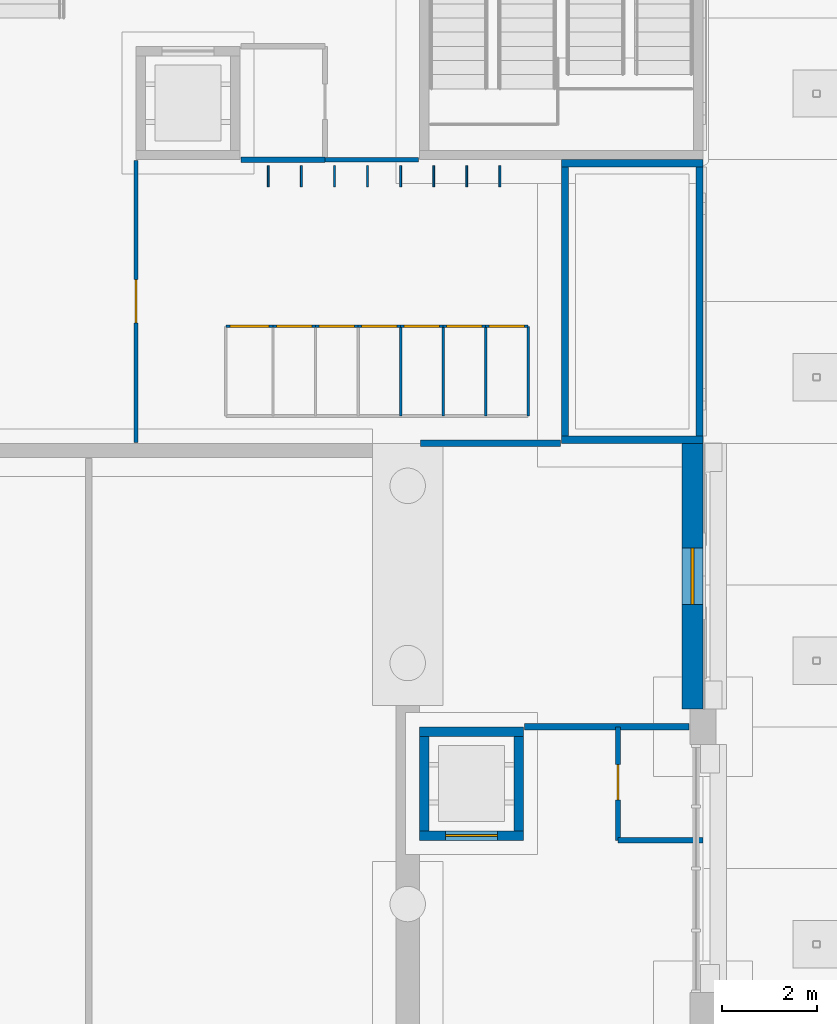
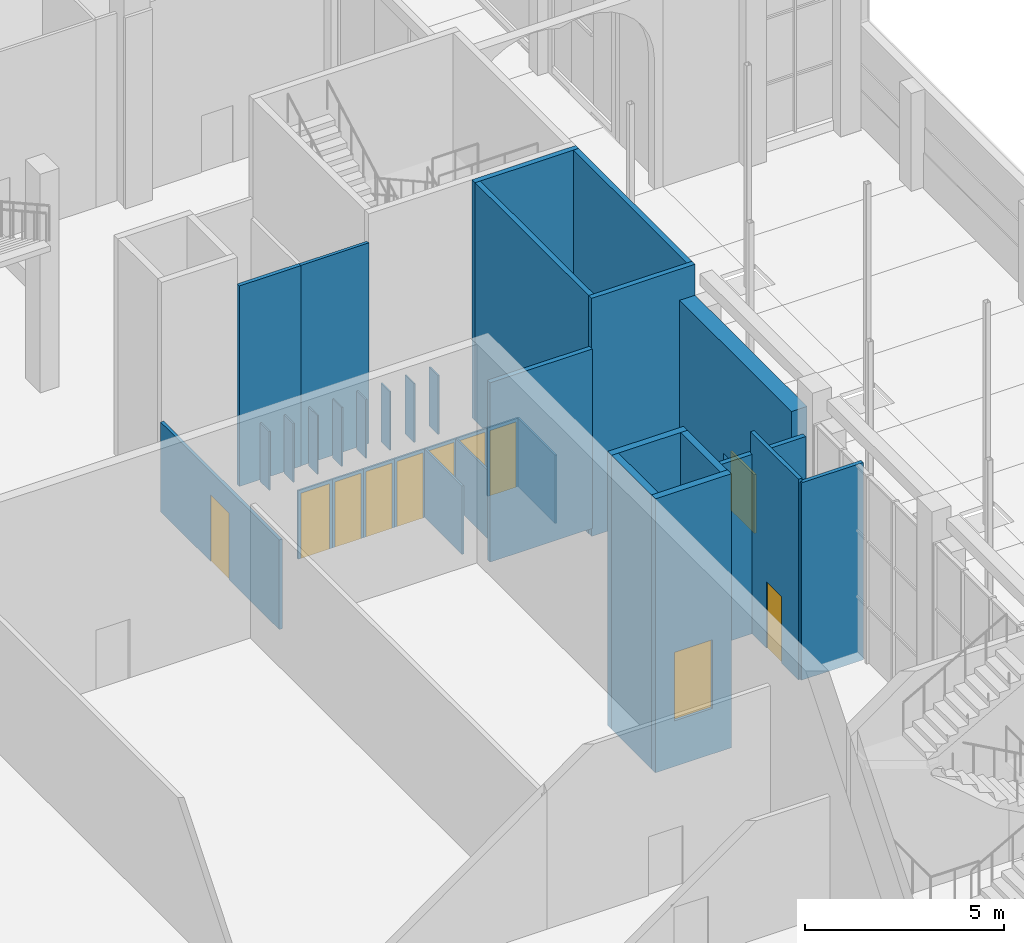
# One storey, part 48 of 95: 35 walls, 10 doors, 1 window, 11 openings.
"""IFC4 building model written with IfcOpenShell, lengths in metres."""

import ifcopenshell
import ifcopenshell.guid

model = None  # the IFC model being written
_history = None  # IfcOwnerHistory: only IFC2X3 demands one
_inside = {}  # id of a spatial element -> (the spatial element, [elements in it])
_under = {}  # id of a project, library or spatial element -> (it, [spatial elements below it])
_declared = {}  # id of a project -> (the project, [libraries it declares])
_typed = {}  # id of a type object -> (the type object, [elements of that type])
_made_of = {}  # id of a material, layer set ... -> (it, [elements and type objects made of it])


def new_model(schema):
    """Start an empty IFC model of exactly this schema.

    Asked for "IFC4X3", IfcOpenShell would pick the latest addendum, in which some entities
    have other attributes; the version numbers below select the first issue.
    IFC2X3 requires an IfcOwnerHistory on every rooted entity: one is made here for all.
    """
    global model, _history
    if schema == "IFC4X3":
        model = ifcopenshell.file(schema_version=(4, 3, 0, 0))
    else:
        model = ifcopenshell.file(schema=schema)
    _inside.clear()
    _under.clear()
    _declared.clear()
    _typed.clear()
    _made_of.clear()
    _history = None
    if model.schema == "IFC2X3":
        org = make("IfcOrganization", Name="unknown")
        user = make(
            "IfcPersonAndOrganization",
            ThePerson=make("IfcPerson", FamilyName="unknown"),
            TheOrganization=org,
        )
        app = make(
            "IfcApplication",
            ApplicationDeveloper=org,
            Version="unknown",
            ApplicationFullName="unknown",
            ApplicationIdentifier="unknown",
        )
        _history = make(
            "IfcOwnerHistory",
            OwningUser=user,
            OwningApplication=app,
            ChangeAction="ADDED",
            CreationDate=0,
        )
    return model


def make(cls, **values):
    """One entity of the class cls with the attributes given. An attribute that is None is left unset."""
    return model.create_entity(
        cls, **{name: value for name, value in values.items() if value is not None}
    )


def rooted(cls, **values):
    """An entity with a GlobalId (a new one), such as an element, a storey or a relation."""
    return make(cls, GlobalId=ifcopenshell.guid.new(), OwnerHistory=_history, **values)


def si_unit(unit_type, name, prefix=None):
    """IfcSIUnit, for example si_unit("LENGTHUNIT", "METRE", prefix="MILLI")."""
    return make("IfcSIUnit", UnitType=unit_type, Prefix=prefix, Name=name)


def assignment(units):
    """IfcUnitAssignment: the units of a project."""
    return None if units is None else make("IfcUnitAssignment", Units=units)


def point(xyz):
    """IfcCartesianPoint."""
    return None if xyz is None else make("IfcCartesianPoint", Coordinates=xyz)


def direction(xyz):
    """IfcDirection."""
    return None if xyz is None else make("IfcDirection", DirectionRatios=xyz)


def frame(location, z_axis=None, x_axis=None):
    """IfcAxis2Placement3D, a coordinate frame: its origin and axes. An axis left out is left unset."""
    return make(
        "IfcAxis2Placement3D",
        Location=point(location),
        Axis=direction(z_axis),
        RefDirection=direction(x_axis),
    )


def frame_2d(location, x_axis=None):
    """IfcAxis2Placement2D, a coordinate frame in the plane: its origin and x axis."""
    return make(
        "IfcAxis2Placement2D", Location=point(location), RefDirection=direction(x_axis)
    )


def origin():
    """The frame at (0, 0, 0) with its axes left unset."""
    return frame((0.0, 0.0, 0.0))


def place(relative_to, where):
    """IfcLocalPlacement: puts the frame where relative to a parent placement (None: the world)."""
    return make(
        "IfcLocalPlacement", PlacementRelTo=relative_to, RelativePlacement=where
    )


def context(
    kind, dimensions, precision=None, world=None, true_north=None, identifier=None
):
    """IfcGeometricRepresentationContext, for example the 3D "Model" context."""
    return make(
        "IfcGeometricRepresentationContext",
        ContextIdentifier=identifier,
        ContextType=kind,
        CoordinateSpaceDimension=dimensions,
        Precision=precision,
        WorldCoordinateSystem=world,
        TrueNorth=true_north,
    )


def subcontext(parent, identifier, kind, view, scale=None):
    """IfcGeometricRepresentationSubContext, for example "Body" below "Model"."""
    return make(
        "IfcGeometricRepresentationSubContext",
        ContextIdentifier=identifier,
        ContextType=kind,
        ParentContext=parent,
        TargetScale=scale,
        TargetView=view,
    )


def project(units=None, contexts=None):
    """IfcProject with its units and contexts."""
    return rooted(
        "IfcProject",
        Name="project",
        RepresentationContexts=contexts,
        UnitsInContext=assignment(units),
    )


def spatial(cls, under=None, at=None, **own):
    """A site, building, storey or space (cls), placed at a placement, below another one or the project."""
    s = rooted(cls, ObjectPlacement=at, **own)
    if under is not None:
        _under.setdefault(under.id(), (under, []))[1].append(s)
    return s


def profile(cls, at=None, kind="AREA", **sizes):
    """A parametric profile (cls). Its sizes go by their IFC names, for example OverallWidth=200.0."""
    return make(cls, ProfileType=kind, Position=at, **sizes)


def rectangle(**sizes):
    """IfcRectangleProfileDef."""
    return profile("IfcRectangleProfileDef", **sizes)


def extrude(swept, where, along, depth):
    """IfcExtrudedAreaSolid: the profile swept, set in the frame where, extruded along a direction by depth."""
    return make(
        "IfcExtrudedAreaSolid",
        SweptArea=swept,
        Position=where,
        ExtrudedDirection=direction(along),
        Depth=depth,
    )


def shape(context_of_items, identifier, shape_type, items):
    """IfcShapeRepresentation: the items that make up one representation, for example the "Body"."""
    return make(
        "IfcShapeRepresentation",
        ContextOfItems=context_of_items,
        RepresentationIdentifier=identifier,
        RepresentationType=shape_type,
        Items=items,
    )


def material(Name=None, Category=None):
    """IfcMaterial."""
    return make("IfcMaterial", Name=Name, Category=Category)


def layer(
    of_material, thickness, ventilated=None, Name=None, Category=None, Priority=None
):
    """IfcMaterialLayer: one layer of a wall or slab, of a material (None: an air gap)."""
    return make(
        "IfcMaterialLayer",
        Material=of_material,
        LayerThickness=thickness,
        IsVentilated=ventilated,
        Name=Name,
        Category=Category,
        Priority=Priority,
    )


def layer_set(layers, Name=None):
    """IfcMaterialLayerSet."""
    return make("IfcMaterialLayerSet", MaterialLayers=layers, LayerSetName=Name)


def made_of(thing, what):
    """Note that an element or type object is made of a material, layer set ...; save() writes the relation."""
    if what is not None:
        _made_of.setdefault(what.id(), (what, []))[1].append(thing)
    return thing


def type_object(cls, material=None, **own):
    """A type object (cls), such as IfcWallType, which elements share."""
    return made_of(rooted(cls, **own), material)


def element(
    cls,
    number,
    at=None,
    inside=None,
    cuts=None,
    type_object=None,
    material=None,
    context=None,
    identifier="Body",
    shape_type=None,
    held_by="IfcProductDefinitionShape",
    body=None,
    shapes=None,
    **own,
):
    """One element of the class cls, such as IfcWall. Its Tag is "e" and its number.

    at: its placement. inside: the storey or other place that contains it. cuts: it is an
    opening in that element (IfcRelVoidsElement). A single representation is given by context,
    identifier, shape_type and body (its items); several are given by shapes. held_by: the class
    of the entity that holds the representations. save() writes the other relations.
    """
    e = rooted(cls, Tag="e%d" % number, ObjectPlacement=at, **own)
    if body is not None:
        shapes = [shape(context, identifier, shape_type, body)]
    if shapes is not None:
        e.Representation = make(held_by, Representations=shapes)
    if inside is not None:
        _inside.setdefault(inside.id(), (inside, []))[1].append(e)
    if cuts is not None:
        rooted(
            "IfcRelVoidsElement", RelatingBuildingElement=cuts, RelatedOpeningElement=e
        )
    if type_object is not None:
        _typed.setdefault(type_object.id(), (type_object, []))[1].append(e)
    return made_of(e, material)


def fill(opening, filler):
    """IfcRelFillsElement: the door or window that sits in an opening."""
    return rooted(
        "IfcRelFillsElement",
        RelatingOpeningElement=opening,
        RelatedBuildingElement=filler,
    )


def aggregate(whole, parts):
    """IfcRelAggregates: a whole, such as a stair, and the parts it consists of."""
    return rooted("IfcRelAggregates", RelatingObject=whole, RelatedObjects=parts)


def save(model, path):
    """Write the relations noted so far, then the file.

    IfcRelAggregates (storeys below a building ...), IfcRelContainedInSpatialStructure (elements
    in a storey), IfcRelDefinesByType, IfcRelAssociatesMaterial and IfcRelDeclares: one each for
    every whole, place, type object, material and project.
    """
    for whole, parts in _under.values():
        aggregate(whole, parts)
    for where, things in _inside.values():
        rooted(
            "IfcRelContainedInSpatialStructure",
            RelatedElements=things,
            RelatingStructure=where,
        )
    for kind, things in _typed.values():
        rooted("IfcRelDefinesByType", RelatedObjects=things, RelatingType=kind)
    for what, things in _made_of.values():
        rooted("IfcRelAssociatesMaterial", RelatedObjects=things, RelatingMaterial=what)
    for by, libraries in _declared.values():
        rooted("IfcRelDeclares", RelatingContext=by, RelatedDefinitions=libraries)
    model.write(path)


model = new_model("IFC4")

# Units and contexts
model_context = context("Model", 3, precision=1e-05, world=origin(), true_north=direction((0.0, 1.0)))
body_context = subcontext(model_context, "Body", "Model", "MODEL_VIEW")
ifc_project = project(units=[si_unit("LENGTHUNIT", "METRE"), si_unit("AREAUNIT", "SQUARE_METRE"), si_unit("VOLUMEUNIT", "CUBIC_METRE"), si_unit("PLANEANGLEUNIT", "RADIAN"), si_unit("MASSUNIT", "GRAM", prefix="KILO")], contexts=[model_context])

# Site, building, storey
site_placement = place(None, origin())
site = spatial("IfcSite", under=ifc_project, at=site_placement, CompositionType="ELEMENT")
building_placement = place(site_placement, origin())
building = spatial("IfcBuilding", under=site, at=building_placement, Name="Saffron Lane Theatres", CompositionType="ELEMENT")
storey_placement = place(building_placement, origin())
storey = spatial("IfcBuildingStorey", under=building, at=storey_placement, Name="L00", CompositionType="ELEMENT", Elevation=0.0)

# Wall, opening, window
ifc_material_1 = material(Name="Masonry pale clay brick", Category="masonry")
ifc_layer_1 = layer(ifc_material_1, 0.449951171875)
ifc_layer_set_1 = layer_set([ifc_layer_1], Name="Masonry pale clay brick")
wall_type_1 = type_object("IfcWallType", Name="EX-WALL BRICK 450", PredefinedType="SOLIDWALL", material=ifc_layer_set_1)
wall_1_placement = place(storey_placement, frame((53.77490234375, 90.0, 0.0), z_axis=(0.0, 0.0, 1.0), x_axis=(0.0, -1.0, 0.0)))
wall_1 = element("IfcWall", 1, at=wall_1_placement, inside=storey, type_object=wall_type_1, Name="External wall L00 15", PredefinedType="SOLIDWALL", context=body_context, shape_type="SweptSolid", body=[
    extrude(rectangle(XDim=5.625, YDim=0.449951171875, at=frame_2d((2.8125, 0.0))), origin(), (0.0, 0.0, 1.0), 6.050048828125),
])
opening_1_placement = place(wall_1_placement, frame((2.21240234375, 0.0, 0.89990234375)))
opening_1 = element("IfcOpeningElement", 2, at=opening_1_placement, cuts=wall_1, Name="Opening WN00-018", PredefinedType="OPENING", context=body_context, shape_type="SweptSolid", body=[
    extrude(rectangle(XDim=1.199951171875, YDim=1.800048828125, at=frame_2d((0.60009765625, 0.89990234375))), frame((0.0, 0.23486328125, 0.0), z_axis=(0.0, -1.0, 0.0), x_axis=(1.0, 0.0, 0.0)), (0.0, 0.0, 1.0), 0.469970703125),
])
ifc_material_2 = material(Name="Aluminium", Category="aluminium")
window_type = type_object("IfcWindowType", Name="EX-WINDOW 1200x1800", PartitioningType="SINGLE_PANEL", PredefinedType="WINDOW", material=ifc_material_2)
window_placement = place(opening_1_placement, origin())
window = element("IfcWindow", 3, at=window_placement, inside=storey, type_object=window_type, Name="Louvred opening L00 018", OverallHeight=1.800048828125, OverallWidth=1.199951171875, PartitioningType="SINGLE_PANEL", PredefinedType="WINDOW", context=body_context, shape_type="SweptSolid", body=[
    extrude(rectangle(XDim=1.199951171875, YDim=1.800048828125, at=frame_2d((0.60009765625, 0.89990234375))), frame((0.0, 0.030029296875, 0.0), z_axis=(0.0, -1.0, 0.0), x_axis=(1.0, 0.0, 0.0)), (0.0, 0.0, 1.0), 0.06005859375),
])
fill(opening_1, window)

# Wall
ifc_material_3 = material(Name="Masonry block partition", Category="masonry")
ifc_layer_2 = layer(ifc_material_3, 0.110107421875)
ifc_layer_set_2 = layer_set([ifc_layer_2], Name="Masonry block partition")
wall_type_2 = type_object("IfcWallType", Name="IN-BLOCK PARTITION 110", PredefinedType="PARTITIONING", material=ifc_layer_set_2)
wall_2_placement = place(storey_placement, frame((44.219970703125, 96.0, 0.0), z_axis=(0.0, 0.0, 1.0), x_axis=(1.0, 0.0, 0.0)))
element("IfcWall", 4, at=wall_2_placement, inside=storey, type_object=wall_type_2, Name="PW-L00-042", PredefinedType="PARTITIONING", context=body_context, shape_type="SweptSolid", body=[
    extrude(rectangle(XDim=1.780029296875, YDim=0.110107421875, at=frame_2d((0.89013671875, 0.0))), origin(), (0.0, 0.0, 1.0), 6.14990234375),
])

# Wall, opening, door
wall_3_placement = place(storey_placement, frame((52.199951171875, 81.60009765625, 0.0), z_axis=(0.0, 0.0, 1.0), x_axis=(0.0, 1.0, 0.0)))
wall_3 = element("IfcWall", 5, at=wall_3_placement, inside=storey, type_object=wall_type_2, Name="PW-L00-045", PredefinedType="PARTITIONING", context=body_context, shape_type="SweptSolid", body=[
    extrude(rectangle(XDim=2.39990234375, YDim=0.110107421875, at=frame_2d((1.199951171875, 0.0))), origin(), (0.0, 0.0, 1.0), 6.14990234375),
])
opening_2_placement = place(wall_3_placement, frame((0.85009765625, 0.0, 0.0)))
opening_2 = element("IfcOpeningElement", 6, at=opening_2_placement, cuts=wall_3, Name="Opening D00-47", PredefinedType="OPENING", context=body_context, shape_type="SweptSolid", body=[
    extrude(rectangle(XDim=0.75, YDim=2.0400390625, at=frame_2d((0.375, 1.02001953125))), frame((0.0, 0.06494140625, 0.0), z_axis=(0.0, -1.0, 0.0), x_axis=(1.0, 0.0, 0.0)), (0.0, 0.0, 1.0), 0.130126953125),
])
ifc_material_4 = material(Name="Steel faced fire door leaf", Category="steel")
door_type_1 = type_object("IfcDoorType", Name="IN-DOOR 750x2040 FD60", OperationType="NOTDEFINED", PredefinedType="DOOR", material=ifc_material_4)
door_1_placement = place(opening_2_placement, frame((0.75, 0.0, 0.0), z_axis=(0.0, 0.0, 1.0), x_axis=(-1.0, 0.0, 0.0)))
door_1 = element("IfcDoor", 7, at=door_1_placement, inside=storey, type_object=door_type_1, Name="D00-47", OperationType="SINGLE_SWING_LEFT", OverallHeight=2.0400390625, OverallWidth=0.75, PredefinedType="DOOR", context=body_context, shape_type="SweptSolid", body=[
    extrude(rectangle(XDim=0.75, YDim=2.0400390625, at=frame_2d((0.375, 1.02001953125))), frame((0.0, 0.02490234375, 0.0), z_axis=(0.0, -1.0, 0.0), x_axis=(1.0, 0.0, 0.0)), (0.0, 0.0, 1.0), 0.050048828125),
])
fill(opening_2, door_1)

# Walls
wall_4_placement = place(storey_placement, frame((52.199951171875, 81.60009765625, 0.0), z_axis=(0.0, 0.0, 1.0), x_axis=(1.0, 0.0, 0.0)))
element("IfcWall", 8, at=wall_4_placement, inside=storey, type_object=wall_type_2, Name="PW-L00-046", PredefinedType="PARTITIONING", context=body_context, shape_type="SweptSolid", body=[
    extrude(rectangle(XDim=1.800048828125, YDim=0.110107421875, at=frame_2d((0.89990234375, 0.0))), origin(), (0.0, 0.0, 1.0), 6.050048828125),
])
ifc_material_5 = material(Name="Masonry block partition", Category="masonry")
ifc_layer_3 = layer(ifc_material_5, 0.139892578125)
ifc_layer_set_3 = layer_set([ifc_layer_3], Name="Masonry block partition")
wall_type_3 = type_object("IfcWallType", Name="IN-BLOCK PARTITION 140", PredefinedType="PARTITIONING", material=ifc_layer_set_3)
wall_5_placement = place(storey_placement, frame((48.02001953125, 90.0, 0.0), z_axis=(0.0, 0.0, 1.0), x_axis=(1.0, 0.0, 0.0)))
element("IfcWall", 9, at=wall_5_placement, inside=storey, type_object=wall_type_3, Name="PW-L00-071", PredefinedType="PARTITIONING", context=body_context, shape_type="SweptSolid", body=[
    extrude(rectangle(XDim=2.9599609375, YDim=0.139892578125, at=frame_2d((1.47998046875, 0.0))), origin(), (0.0, 0.0, 1.0), 5.5),
])
wall_6_placement = place(storey_placement, frame((50.219970703125, 84.0, 0.0), z_axis=(0.0, 0.0, 1.0), x_axis=(1.0, 0.0, 0.0)))
element("IfcWall", 10, at=wall_6_placement, inside=storey, type_object=wall_type_3, Name="PW-L00-072", PredefinedType="PARTITIONING", context=body_context, shape_type="SweptSolid", body=[
    extrude(rectangle(XDim=3.485107421875, YDim=0.139892578125, at=frame_2d((1.74267578125, 0.0))), origin(), (0.0, 0.0, 1.0), 5.5),
])
ifc_material_6 = material(Name="Laminate cubicle panel")
ifc_layer_4 = layer(ifc_material_6, 0.050048828125)
ifc_layer_set_4 = layer_set([ifc_layer_4], Name="Laminate cubicle panel")
wall_type_4 = type_object("IfcWallType", Name="IN-CUBICLE PANEL 050", PredefinedType="PARTITIONING", material=ifc_layer_set_4)
for number, where, z_axis, x_axis, name in (
    (11, (47.60009765625, 90.574951171875, 0.0), (0.0, 0.0, 1.0), (0.0, 1.0, 0.0), "PW-L00-154"),
    (12, (48.5, 90.574951171875, 0.0), (0.0, 0.0, 1.0), (0.0, 1.0, 0.0), "PW-L00-155"),
    (13, (49.39990234375, 90.574951171875, 0.0), (0.0, 0.0, 1.0), (0.0, 1.0, 0.0), "PW-L00-156"),
    (14, (50.300048828125, 90.574951171875, 0.0), (0.0, 0.0, 1.0), (0.0, 1.0, 0.0), "PW-L00-157"),
):
    element("IfcWall", number, at=place(storey_placement, frame(where, z_axis=z_axis, x_axis=x_axis)), inside=storey, type_object=wall_type_4, Name=name, PredefinedType="PARTITIONING", context=body_context, shape_type="SweptSolid", body=[
        extrude(rectangle(XDim=1.900146484375, YDim=0.050048828125, at=frame_2d((0.9501953125, 0.0))), origin(), (0.0, 0.0, 1.0), 2.10009765625),
    ])

# Wall, opening, door
wall_7_placement = place(storey_placement, frame((43.89990234375, 92.47509765625, 0.0), z_axis=(0.0, 0.0, 1.0), x_axis=(1.0, 0.0, 0.0)))
wall_7 = element("IfcWall", 15, at=wall_7_placement, inside=storey, type_object=wall_type_4, Name="PW-L00-158", PredefinedType="PARTITIONING", context=body_context, shape_type="SweptSolid", body=[
    extrude(rectangle(XDim=1.0, YDim=0.050048828125, at=frame_2d((0.5, 0.0))), origin(), (0.0, 0.0, 1.0), 2.10009765625),
])
opening_3_placement = place(wall_7_placement, frame((0.090087890625, 0.0, 0.0)))
opening_3 = element("IfcOpeningElement", 16, at=opening_3_placement, cuts=wall_7, Name="Opening D00-78", PredefinedType="OPENING", context=body_context, shape_type="SweptSolid", body=[
    extrude(rectangle(XDim=0.820068359375, YDim=2.0, at=frame_2d((0.41015625, 1.0))), frame((0.0, 0.03515625, 0.0), z_axis=(0.0, -1.0, 0.0), x_axis=(1.0, 0.0, 0.0)), (0.0, 0.0, 1.0), 0.070068359375),
])
ifc_material_7 = material(Name="Timber door leaf", Category="wood")
door_type_2 = type_object("IfcDoorType", Name="IN-DOOR 820x2000", OperationType="NOTDEFINED", PredefinedType="DOOR", material=ifc_material_7)
door_2_placement = place(opening_3_placement, frame((0.820068359375, 0.0, 0.0), z_axis=(0.0, 0.0, 1.0), x_axis=(-1.0, 0.0, 0.0)))
door_2 = element("IfcDoor", 17, at=door_2_placement, inside=storey, type_object=door_type_2, Name="D00-78", OperationType="SINGLE_SWING_RIGHT", OverallHeight=2.0, OverallWidth=0.820068359375, PredefinedType="DOOR", context=body_context, shape_type="SweptSolid", body=[
    extrude(rectangle(XDim=0.820068359375, YDim=2.0, at=frame_2d((0.41015625, 1.0))), frame((0.0, 0.02490234375, 0.0), z_axis=(0.0, -1.0, 0.0), x_axis=(1.0, 0.0, 0.0)), (0.0, 0.0, 1.0), 0.049560546875),
])
fill(opening_3, door_2)

wall_8_placement = place(storey_placement, frame((44.89990234375, 92.47509765625, 0.0), z_axis=(0.0, 0.0, 1.0), x_axis=(1.0, 0.0, 0.0)))
wall_8 = element("IfcWall", 18, at=wall_8_placement, inside=storey, type_object=wall_type_4, Name="PW-L00-159", PredefinedType="PARTITIONING", context=body_context, shape_type="SweptSolid", body=[
    extrude(rectangle(XDim=0.900146484375, YDim=0.050048828125, at=frame_2d((0.4501953125, 0.0))), origin(), (0.0, 0.0, 1.0), 2.10009765625),
])
opening_4_placement = place(wall_8_placement, frame((0.074951171875, 0.0, 0.0)))
opening_4 = element("IfcOpeningElement", 19, at=opening_4_placement, cuts=wall_8, Name="Opening D00-79", PredefinedType="OPENING", context=body_context, shape_type="SweptSolid", body=[
    extrude(rectangle(XDim=0.75, YDim=2.0, at=frame_2d((0.375, 1.0))), frame((0.0, 0.03515625, 0.0), z_axis=(0.0, -1.0, 0.0), x_axis=(1.0, 0.0, 0.0)), (0.0, 0.0, 1.0), 0.070068359375),
])
ifc_material_8 = material(Name="Timber door leaf", Category="wood")
door_type_3 = type_object("IfcDoorType", Name="IN-DOOR 750x2000", OperationType="NOTDEFINED", PredefinedType="DOOR", material=ifc_material_8)
door_3_placement = place(opening_4_placement, frame((0.75, 0.0, 0.0), z_axis=(0.0, 0.0, 1.0), x_axis=(-1.0, 0.0, 0.0)))
door_3 = element("IfcDoor", 20, at=door_3_placement, inside=storey, type_object=door_type_3, Name="D00-79", OperationType="SINGLE_SWING_LEFT", OverallHeight=2.0, OverallWidth=0.75, PredefinedType="DOOR", context=body_context, shape_type="SweptSolid", body=[
    extrude(rectangle(XDim=0.75, YDim=2.0, at=frame_2d((0.375, 1.0))), frame((0.0, 0.02490234375, 0.0), z_axis=(0.0, -1.0, 0.0), x_axis=(1.0, 0.0, 0.0)), (0.0, 0.0, 1.0), 0.049560546875),
])
fill(opening_4, door_3)

wall_9_placement = place(storey_placement, frame((45.800048828125, 92.47509765625, 0.0), z_axis=(0.0, 0.0, 1.0), x_axis=(1.0, 0.0, 0.0)))
wall_9 = element("IfcWall", 21, at=wall_9_placement, inside=storey, type_object=wall_type_4, Name="PW-L00-160", PredefinedType="PARTITIONING", context=body_context, shape_type="SweptSolid", body=[
    extrude(rectangle(XDim=0.89990234375, YDim=0.050048828125, at=frame_2d((0.449951171875, 0.0))), origin(), (0.0, 0.0, 1.0), 2.10009765625),
])
opening_5_placement = place(wall_9_placement, frame((0.074951171875, 0.0, 0.0)))
opening_5 = element("IfcOpeningElement", 22, at=opening_5_placement, cuts=wall_9, Name="Opening D00-80", PredefinedType="OPENING", context=body_context, shape_type="SweptSolid", body=[
    extrude(rectangle(XDim=0.75, YDim=2.0, at=frame_2d((0.375, 1.0))), frame((0.0, 0.03515625, 0.0), z_axis=(0.0, -1.0, 0.0), x_axis=(1.0, 0.0, 0.0)), (0.0, 0.0, 1.0), 0.070068359375),
])
door_4_placement = place(opening_5_placement, frame((0.75, 0.0, 0.0), z_axis=(0.0, 0.0, 1.0), x_axis=(-1.0, 0.0, 0.0)))
door_4 = element("IfcDoor", 23, at=door_4_placement, inside=storey, type_object=door_type_3, Name="D00-80", OperationType="SINGLE_SWING_RIGHT", OverallHeight=2.0, OverallWidth=0.75, PredefinedType="DOOR", context=body_context, shape_type="SweptSolid", body=[
    extrude(rectangle(XDim=0.75, YDim=2.0, at=frame_2d((0.375, 1.0))), frame((0.0, 0.02490234375, 0.0), z_axis=(0.0, -1.0, 0.0), x_axis=(1.0, 0.0, 0.0)), (0.0, 0.0, 1.0), 0.049560546875),
])
fill(opening_5, door_4)

wall_10_placement = place(storey_placement, frame((46.699951171875, 92.47509765625, 0.0), z_axis=(0.0, 0.0, 1.0), x_axis=(1.0, 0.0, 0.0)))
wall_10 = element("IfcWall", 24, at=wall_10_placement, inside=storey, type_object=wall_type_4, Name="PW-L00-161", PredefinedType="PARTITIONING", context=body_context, shape_type="SweptSolid", body=[
    extrude(rectangle(XDim=0.900146484375, YDim=0.050048828125, at=frame_2d((0.4501953125, 0.0))), origin(), (0.0, 0.0, 1.0), 2.10009765625),
])
opening_6_placement = place(wall_10_placement, frame((0.074951171875, 0.0, 0.0)))
opening_6 = element("IfcOpeningElement", 25, at=opening_6_placement, cuts=wall_10, Name="Opening D00-81", PredefinedType="OPENING", context=body_context, shape_type="SweptSolid", body=[
    extrude(rectangle(XDim=0.75, YDim=2.0, at=frame_2d((0.375, 1.0))), frame((0.0, 0.03515625, 0.0), z_axis=(0.0, -1.0, 0.0), x_axis=(1.0, 0.0, 0.0)), (0.0, 0.0, 1.0), 0.070068359375),
])
door_5_placement = place(opening_6_placement, frame((0.75, 0.0, 0.0), z_axis=(0.0, 0.0, 1.0), x_axis=(-1.0, 0.0, 0.0)))
door_5 = element("IfcDoor", 26, at=door_5_placement, inside=storey, type_object=door_type_3, Name="D00-81", OperationType="SINGLE_SWING_LEFT", OverallHeight=2.0, OverallWidth=0.75, PredefinedType="DOOR", context=body_context, shape_type="SweptSolid", body=[
    extrude(rectangle(XDim=0.75, YDim=2.0, at=frame_2d((0.375, 1.0))), frame((0.0, 0.02490234375, 0.0), z_axis=(0.0, -1.0, 0.0), x_axis=(1.0, 0.0, 0.0)), (0.0, 0.0, 1.0), 0.049560546875),
])
fill(opening_6, door_5)

wall_11_placement = place(storey_placement, frame((47.60009765625, 92.47509765625, 0.0), z_axis=(0.0, 0.0, 1.0), x_axis=(1.0, 0.0, 0.0)))
wall_11 = element("IfcWall", 27, at=wall_11_placement, inside=storey, type_object=wall_type_4, Name="PW-L00-162", PredefinedType="PARTITIONING", context=body_context, shape_type="SweptSolid", body=[
    extrude(rectangle(XDim=0.89990234375, YDim=0.050048828125, at=frame_2d((0.449951171875, 0.0))), origin(), (0.0, 0.0, 1.0), 2.10009765625),
])
opening_7_placement = place(wall_11_placement, frame((0.074951171875, 0.0, 0.0)))
opening_7 = element("IfcOpeningElement", 28, at=opening_7_placement, cuts=wall_11, Name="Opening D00-82", PredefinedType="OPENING", context=body_context, shape_type="SweptSolid", body=[
    extrude(rectangle(XDim=0.75, YDim=2.0, at=frame_2d((0.375, 1.0))), frame((0.0, 0.03515625, 0.0), z_axis=(0.0, -1.0, 0.0), x_axis=(1.0, 0.0, 0.0)), (0.0, 0.0, 1.0), 0.070068359375),
])
door_6_placement = place(opening_7_placement, frame((0.75, 0.0, 0.0), z_axis=(0.0, 0.0, 1.0), x_axis=(-1.0, 0.0, 0.0)))
door_6 = element("IfcDoor", 29, at=door_6_placement, inside=storey, type_object=door_type_3, Name="D00-82", OperationType="SINGLE_SWING_RIGHT", OverallHeight=2.0, OverallWidth=0.75, PredefinedType="DOOR", context=body_context, shape_type="SweptSolid", body=[
    extrude(rectangle(XDim=0.75, YDim=2.0, at=frame_2d((0.375, 1.0))), frame((0.0, 0.02490234375, 0.0), z_axis=(0.0, -1.0, 0.0), x_axis=(1.0, 0.0, 0.0)), (0.0, 0.0, 1.0), 0.049560546875),
])
fill(opening_7, door_6)

wall_12_placement = place(storey_placement, frame((48.5, 92.47509765625, 0.0), z_axis=(0.0, 0.0, 1.0), x_axis=(1.0, 0.0, 0.0)))
wall_12 = element("IfcWall", 30, at=wall_12_placement, inside=storey, type_object=wall_type_4, Name="PW-L00-163", PredefinedType="PARTITIONING", context=body_context, shape_type="SweptSolid", body=[
    extrude(rectangle(XDim=0.89990234375, YDim=0.050048828125, at=frame_2d((0.449951171875, 0.0))), origin(), (0.0, 0.0, 1.0), 2.10009765625),
])
opening_8_placement = place(wall_12_placement, frame((0.074951171875, 0.0, 0.0)))
opening_8 = element("IfcOpeningElement", 31, at=opening_8_placement, cuts=wall_12, Name="Opening D00-83", PredefinedType="OPENING", context=body_context, shape_type="SweptSolid", body=[
    extrude(rectangle(XDim=0.75, YDim=2.0, at=frame_2d((0.375, 1.0))), frame((0.0, 0.03515625, 0.0), z_axis=(0.0, -1.0, 0.0), x_axis=(1.0, 0.0, 0.0)), (0.0, 0.0, 1.0), 0.070068359375),
])
door_7_placement = place(opening_8_placement, frame((0.75, 0.0, 0.0), z_axis=(0.0, 0.0, 1.0), x_axis=(-1.0, 0.0, 0.0)))
door_7 = element("IfcDoor", 32, at=door_7_placement, inside=storey, type_object=door_type_3, Name="D00-83", OperationType="SINGLE_SWING_LEFT", OverallHeight=2.0, OverallWidth=0.75, PredefinedType="DOOR", context=body_context, shape_type="SweptSolid", body=[
    extrude(rectangle(XDim=0.75, YDim=2.0, at=frame_2d((0.375, 1.0))), frame((0.0, 0.02490234375, 0.0), z_axis=(0.0, -1.0, 0.0), x_axis=(1.0, 0.0, 0.0)), (0.0, 0.0, 1.0), 0.049560546875),
])
fill(opening_8, door_7)

wall_13_placement = place(storey_placement, frame((49.39990234375, 92.47509765625, 0.0), z_axis=(0.0, 0.0, 1.0), x_axis=(1.0, 0.0, 0.0)))
wall_13 = element("IfcWall", 33, at=wall_13_placement, inside=storey, type_object=wall_type_4, Name="PW-L00-164", PredefinedType="PARTITIONING", context=body_context, shape_type="SweptSolid", body=[
    extrude(rectangle(XDim=0.900146484375, YDim=0.050048828125, at=frame_2d((0.4501953125, 0.0))), origin(), (0.0, 0.0, 1.0), 2.10009765625),
])
opening_9_placement = place(wall_13_placement, frame((0.074951171875, 0.0, 0.0)))
opening_9 = element("IfcOpeningElement", 34, at=opening_9_placement, cuts=wall_13, Name="Opening D00-84", PredefinedType="OPENING", context=body_context, shape_type="SweptSolid", body=[
    extrude(rectangle(XDim=0.75, YDim=2.0, at=frame_2d((0.375, 1.0))), frame((0.0, 0.03515625, 0.0), z_axis=(0.0, -1.0, 0.0), x_axis=(1.0, 0.0, 0.0)), (0.0, 0.0, 1.0), 0.070068359375),
])
door_8_placement = place(opening_9_placement, frame((0.75, 0.0, 0.0), z_axis=(0.0, 0.0, 1.0), x_axis=(-1.0, 0.0, 0.0)))
door_8 = element("IfcDoor", 35, at=door_8_placement, inside=storey, type_object=door_type_3, Name="D00-84", OperationType="SINGLE_SWING_RIGHT", OverallHeight=2.0, OverallWidth=0.75, PredefinedType="DOOR", context=body_context, shape_type="SweptSolid", body=[
    extrude(rectangle(XDim=0.75, YDim=2.0, at=frame_2d((0.375, 1.0))), frame((0.0, 0.02490234375, 0.0), z_axis=(0.0, -1.0, 0.0), x_axis=(1.0, 0.0, 0.0)), (0.0, 0.0, 1.0), 0.049560546875),
])
fill(opening_9, door_8)

ifc_material_9 = material(Name="Plasterboard on 90 mm steel studs", Category="steel")
ifc_layer_5 = layer(ifc_material_9, 0.090087890625)
ifc_layer_set_5 = layer_set([ifc_layer_5], Name="Plasterboard on 90 mm steel studs")
wall_type_5 = type_object("IfcWallType", Name="IN-STUD PARTITION 090", PredefinedType="PARTITIONING", material=ifc_layer_set_5)
wall_14_placement = place(storey_placement, frame((42.0, 90.02001953125, 0.0), z_axis=(0.0, 0.0, 1.0), x_axis=(0.0, 1.0, 0.0)))
wall_14 = element("IfcWall", 36, at=wall_14_placement, inside=storey, type_object=wall_type_5, Name="PW-L00-112", PredefinedType="PARTITIONING", context=body_context, shape_type="SweptSolid", body=[
    extrude(rectangle(XDim=5.9599609375, YDim=0.090087890625, at=frame_2d((2.97998046875, 0.0))), origin(), (0.0, 0.0, 1.0), 2.75),
])
opening_10_placement = place(wall_14_placement, frame((2.530029296875, 0.0, 0.0)))
opening_10 = element("IfcOpeningElement", 37, at=opening_10_placement, cuts=wall_14, Name="Opening D00-08", PredefinedType="OPENING", context=body_context, shape_type="SweptSolid", body=[
    extrude(rectangle(XDim=0.919921875, YDim=2.0400390625, at=frame_2d((0.4599609375, 1.02001953125))), frame((0.0, 0.05517578125, 0.0), z_axis=(0.0, -1.0, 0.0), x_axis=(1.0, 0.0, 0.0)), (0.0, 0.0, 1.0), 0.110107421875),
])
ifc_material_10 = material(Name="Timber door leaf", Category="wood")
door_type_4 = type_object("IfcDoorType", Name="IN-DOOR 920x2040", OperationType="NOTDEFINED", PredefinedType="DOOR", material=ifc_material_10)
door_9_placement = place(opening_10_placement, frame((0.919921875, 0.0, 0.0), z_axis=(0.0, 0.0, 1.0), x_axis=(-1.0, 0.0, 0.0)))
door_9 = element("IfcDoor", 38, at=door_9_placement, inside=storey, type_object=door_type_4, Name="D00-08", OperationType="SINGLE_SWING_LEFT", OverallHeight=2.0400390625, OverallWidth=0.919921875, PredefinedType="DOOR", context=body_context, shape_type="SweptSolid", body=[
    extrude(rectangle(XDim=0.919921875, YDim=2.0400390625, at=frame_2d((0.4599609375, 1.02001953125))), frame((0.0, 0.02490234375, 0.0), z_axis=(0.0, -1.0, 0.0), x_axis=(1.0, 0.0, 0.0)), (0.0, 0.0, 1.0), 0.050048828125),
])
fill(opening_10, door_9)

# Walls
wall_15_placement = place(storey_placement, frame((46.0, 96.0, 0.0), z_axis=(0.0, 0.0, 1.0), x_axis=(1.0, 0.0, 0.0)))
element("IfcWall", 39, at=wall_15_placement, inside=storey, type_object=wall_type_5, Name="PW-L00-118", PredefinedType="PARTITIONING", context=body_context, shape_type="SweptSolid", body=[
    extrude(rectangle(XDim=1.97998046875, YDim=0.090087890625, at=frame_2d((0.989990234375, 0.0))), origin(), (0.0, 0.0, 1.0), 6.14990234375),
])
ifc_material_11 = material(Name="Laminate screen panel")
ifc_layer_6 = layer(ifc_material_11, 0.0400390625)
ifc_layer_set_6 = layer_set([ifc_layer_6], Name="Laminate screen panel")
wall_type_6 = type_object("IfcWallType", Name="IN-URINAL SCREEN 040", PredefinedType="PARTITIONING", material=ifc_layer_set_6)
for number, where, z_axis, x_axis, name in (
    (40, (44.800048828125, 95.425048828125, 0.0), (0.0, 0.0, 1.0), (0.0, 1.0, 0.0), "PW-L00-165"),
    (41, (45.5, 95.425048828125, 0.0), (0.0, 0.0, 1.0), (0.0, 1.0, 0.0), "PW-L00-166"),
    (42, (46.199951171875, 95.425048828125, 0.0), (0.0, 0.0, 1.0), (0.0, 1.0, 0.0), "PW-L00-167"),
    (43, (46.89990234375, 95.425048828125, 0.0), (0.0, 0.0, 1.0), (0.0, 1.0, 0.0), "PW-L00-168"),
    (44, (47.60009765625, 95.425048828125, 0.0), (0.0, 0.0, 1.0), (0.0, 1.0, 0.0), "PW-L00-169"),
    (45, (48.300048828125, 95.425048828125, 0.0), (0.0, 0.0, 1.0), (0.0, 1.0, 0.0), "PW-L00-170"),
    (46, (49.0, 95.425048828125, 0.0), (0.0, 0.0, 1.0), (0.0, 1.0, 0.0), "PW-L00-171"),
    (47, (49.699951171875, 95.425048828125, 0.0), (0.0, 0.0, 1.0), (0.0, 1.0, 0.0), "PW-L00-172"),
):
    element("IfcWall", number, at=place(storey_placement, frame(where, z_axis=z_axis, x_axis=x_axis)), inside=storey, type_object=wall_type_6, Name=name, PredefinedType="PARTITIONING", context=body_context, shape_type="SweptSolid", body=[
        extrude(rectangle(XDim=0.449951171875, YDim=0.0400390625, at=frame_2d((0.22509765625, 0.0))), origin(), (0.0, 0.0, 1.0), 1.800048828125),
    ])
ifc_material_12 = material(Name="Concrete N50 (50 MPa)", Category="concrete")
ifc_layer_7 = layer(ifc_material_12, 0.14990234375)
ifc_layer_set_7 = layer_set([ifc_layer_7], Name="Concrete N50 (50 MPa)")
wall_type_7 = type_object("IfcWallType", Name="RC-CORE 150", PredefinedType="SHEAR", material=ifc_layer_set_7)
for number, where, z_axis, x_axis, name in (
    (48, (51.0, 95.925048828125, -0.300048828125), (0.0, 0.0, 1.0), (1.0, 0.0, 0.0), "W-R2-N-L00"),
    (49, (51.0, 90.074951171875, -0.300048828125), (0.0, 0.0, 1.0), (1.0, 0.0, 0.0), "W-R2-S-L00"),
):
    element("IfcWall", number, at=place(storey_placement, frame(where, z_axis=z_axis, x_axis=x_axis)), inside=storey, type_object=wall_type_7, Name=name, PredefinedType="SHEAR", context=body_context, shape_type="SweptSolid", body=[
        extrude(rectangle(XDim=3.0, YDim=0.14990234375, at=frame_2d((1.5, 0.0))), origin(), (0.0, 0.0, 1.0), 7.300048828125),
    ])
wall_16_placement = place(storey_placement, frame((51.074951171875, 90.14990234375, -0.300048828125), z_axis=(0.0, 0.0, 1.0), x_axis=(0.0, 1.0, 0.0)))
element("IfcWall", 50, at=wall_16_placement, inside=storey, type_object=wall_type_7, Name="W-R2-W-L00", PredefinedType="SHEAR", context=body_context, shape_type="SweptSolid", body=[
    extrude(rectangle(XDim=5.7001953125, YDim=0.14990234375, at=frame_2d((2.85009765625, 0.0))), origin(), (0.0, 0.0, 1.0), 7.300048828125),
])
ifc_material_13 = material(Name="Concrete N50 (50 MPa)", Category="concrete")
ifc_layer_8 = layer(ifc_material_13, 0.199951171875)
ifc_layer_set_8 = layer_set([ifc_layer_8], Name="Concrete N50 (50 MPa)")
wall_type_8 = type_object("IfcWallType", Name="RC-CORE 200", PredefinedType="SHEAR", material=ifc_layer_set_8)
wall_17_placement = place(storey_placement, frame((48.0, 83.89990234375, -1.39990234375), z_axis=(0.0, 0.0, 1.0), x_axis=(1.0, 0.0, 0.0)))
element("IfcWall", 51, at=wall_17_placement, inside=storey, type_object=wall_type_8, Name="W-LC4-N-L00", PredefinedType="SHEAR", context=body_context, shape_type="SweptSolid", body=[
    extrude(rectangle(XDim=2.199951171875, YDim=0.199951171875, at=frame_2d((1.10009765625, 0.0))), origin(), (0.0, 0.0, 1.0), 8.39990234375),
])

# Wall, opening, door
wall_18_placement = place(storey_placement, frame((48.0, 81.699951171875, -1.39990234375), z_axis=(0.0, 0.0, 1.0), x_axis=(1.0, 0.0, 0.0)))
wall_18 = element("IfcWall", 52, at=wall_18_placement, inside=storey, type_object=wall_type_8, Name="W-LC4-S-L00", PredefinedType="SHEAR", context=body_context, shape_type="SweptSolid", body=[
    extrude(rectangle(XDim=2.199951171875, YDim=0.199951171875, at=frame_2d((1.10009765625, 0.0))), origin(), (0.0, 0.0, 1.0), 8.39990234375),
])
opening_11_placement = place(wall_18_placement, frame((0.550048828125, 0.0, 1.39990234375)))
opening_11 = element("IfcOpeningElement", 53, at=opening_11_placement, cuts=wall_18, Name="Opening LD13", PredefinedType="OPENING", context=body_context, shape_type="SweptSolid", body=[
    extrude(rectangle(XDim=1.10009765625, YDim=2.10009765625, at=frame_2d((0.550048828125, 1.050048828125))), frame((0.0, 0.10986328125, 0.0), z_axis=(0.0, -1.0, 0.0), x_axis=(1.0, 0.0, 0.0)), (0.0, 0.0, 1.0), 0.219970703125),
])
ifc_material_14 = material(Name="Stainless steel 316", Category="steel")
door_type_5 = type_object("IfcDoorType", Name="VC-LANDING DOOR 1100x2100", OperationType="DOUBLE_DOOR_SLIDING", PredefinedType="DOOR", material=ifc_material_14)
door_10_placement = place(opening_11_placement, origin())
door_10 = element("IfcDoor", 54, at=door_10_placement, inside=storey, type_object=door_type_5, Name="Landing doors LC4 L00", OperationType="DOUBLE_DOOR_SLIDING", OverallHeight=2.10009765625, OverallWidth=1.10009765625, PredefinedType="DOOR", context=body_context, shape_type="SweptSolid", body=[
    extrude(rectangle(XDim=1.10009765625, YDim=2.10009765625, at=frame_2d((0.550048828125, 1.050048828125))), frame((0.0, 0.02490234375, 0.0), z_axis=(0.0, -1.0, 0.0), x_axis=(1.0, 0.0, 0.0)), (0.0, 0.0, 1.0), 0.050048828125),
])
fill(opening_11, door_10)

# Walls
for number, where, z_axis, x_axis, name in (
    (55, (48.10009765625, 81.800048828125, -1.39990234375), (0.0, 0.0, 1.0), (0.0, 1.0, 0.0), "W-LC4-W-L00"),
    (56, (50.10009765625, 81.800048828125, -1.39990234375), (0.0, 0.0, 1.0), (0.0, 1.0, 0.0), "W-LC4-E-L00"),
):
    element("IfcWall", number, at=place(storey_placement, frame(where, z_axis=z_axis, x_axis=x_axis)), inside=storey, type_object=wall_type_8, Name=name, PredefinedType="SHEAR", context=body_context, shape_type="SweptSolid", body=[
        extrude(rectangle(XDim=2.0, YDim=0.199951171875, at=frame_2d((1.0, 0.0))), origin(), (0.0, 0.0, 1.0), 8.39990234375),
    ])
ifc_material_15 = material(Name="Concrete N50 (50 MPa)", Category="concrete")
ifc_layer_9 = layer(ifc_material_15, 0.14990234375)
ifc_layer_set_9 = layer_set([ifc_layer_9], Name="Concrete N50 (50 MPa)")
wall_type_9 = type_object("IfcWallType", Name="RC-CORE EXTERNAL 150", PredefinedType="SHEAR", material=ifc_layer_set_9)
wall_19_placement = place(storey_placement, frame((53.925048828125, 90.14990234375, -0.300048828125), z_axis=(0.0, 0.0, 1.0), x_axis=(0.0, 1.0, 0.0)))
element("IfcWall", 57, at=wall_19_placement, inside=storey, type_object=wall_type_9, Name="W-R2-E-L00", PredefinedType="SHEAR", context=body_context, shape_type="SweptSolid", body=[
    extrude(rectangle(XDim=5.7001953125, YDim=0.14990234375, at=frame_2d((2.85009765625, 0.0))), origin(), (0.0, 0.0, 1.0), 7.300048828125),
])

save(model, "model.ifc")
